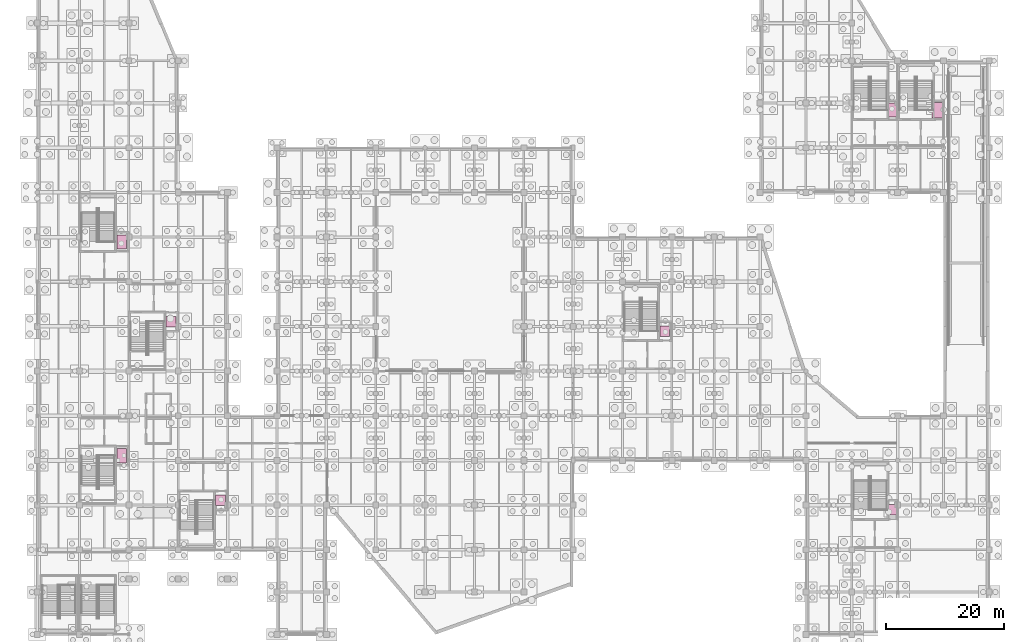
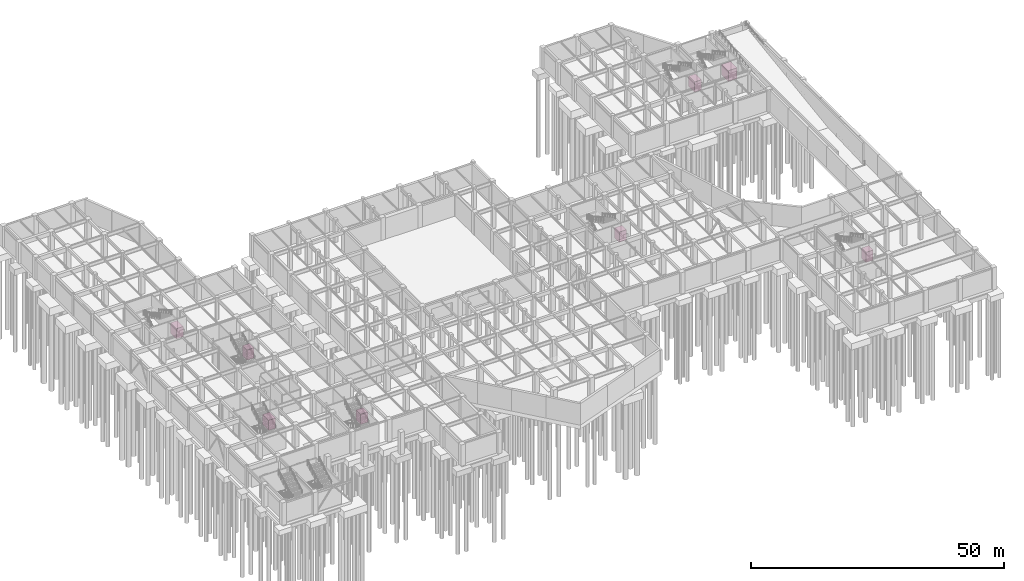
# One storey, part 52 of 52: 8 transport elements.
"""IFC4 building model written with IfcOpenShell, lengths in metres."""

from ifc_helpers import new_model, si_unit, direction, frame, origin, origin_2d, place, context, subcontext, project, spatial, rectangle, extrude, material, type_object, element, save


model = new_model("IFC4")

# Units and contexts
model_context = context("Model", 3, precision=1e-05, world=origin(), true_north=direction((0.0, 1.0)))
body_context = subcontext(model_context, "Body", "Model", "MODEL_VIEW")
ifc_project = project(units=[si_unit("LENGTHUNIT", "METRE"), si_unit("AREAUNIT", "SQUARE_METRE"), si_unit("VOLUMEUNIT", "CUBIC_METRE"), si_unit("PLANEANGLEUNIT", "RADIAN"), si_unit("MASSUNIT", "GRAM", prefix="KILO")], contexts=[model_context])

# Site, building, storey
site_placement = place(None, origin())
site = spatial("IfcSite", under=ifc_project, at=site_placement, CompositionType="ELEMENT")
building_placement = place(site_placement, origin())
building = spatial("IfcBuilding", under=site, at=building_placement, Name="Xicomal Pleat Aquarium", CompositionType="ELEMENT")
storey_placement = place(building_placement, frame((0.0, 0.0, -5.39990234375)))
storey = spatial("IfcBuildingStorey", under=building, at=storey_placement, Name="B1", CompositionType="ELEMENT", Elevation=-5.39990234375)

# Transport elements
ifc_material_1 = material(Name="Brushed stainless steel 304", Category="steel")
transport_element_type_1 = type_object("IfcTransportElementType", Name="LFT-GDS-2000x2600", PredefinedType="ELEVATOR", material=ifc_material_1)
transport_element_placement = place(storey_placement, frame((156.280029296875, 90.0, 0.0), z_axis=(0.0, 0.0, 1.0), x_axis=(1.0, 0.0, 0.0)))
element("IfcTransportElement", 1, at=transport_element_placement, inside=storey, type_object=transport_element_type_1, Name="Elevator car LF-06", PredefinedType="ELEVATOR", context=body_context, shape_type="SweptSolid", body=[
    extrude(rectangle(XDim=2.0, YDim=2.60009765625, at=origin_2d()), origin(), (0.0, 0.0, 1.0), 2.550048828125),
])
ifc_material_2 = material(Name="Brushed stainless steel 304", Category="steel")
transport_element_type_2 = type_object("IfcTransportElementType", Name="LFT-PAS-1650x1800", PredefinedType="ELEVATOR", material=ifc_material_2)
for number, where, z_axis, x_axis, name in (
    (2, (34.179931640625, 23.60009765625, 0.0), (0.0, 0.0, 1.0), (1.0, 0.0, 0.0), "Elevator car LF-02"),
    (3, (25.780029296875, 54.0, 0.0), (0.0, 0.0, 1.0), (1.0, 0.0, 0.0), "Elevator car LF-04"),
    (4, (109.780029296875, 52.39990234375, 0.0), (0.0, 0.0, 1.0), (1.0, 0.0, 0.0), "Elevator car LF-07"),
    (5, (148.47998046875, 22.0, 0.0), (0.0, 0.0, 1.0), (1.0, 0.0, 0.0), "Elevator car LF-08"),
):
    element("IfcTransportElement", number, at=place(storey_placement, frame(where, z_axis=z_axis, x_axis=x_axis)), inside=storey, type_object=transport_element_type_2, Name=name, PredefinedType="ELEVATOR", context=body_context, shape_type="SweptSolid", body=[
        extrude(rectangle(XDim=1.64990234375, YDim=1.800048828125, at=origin_2d()), origin(), (0.0, 0.0, 1.0), 2.449951171875),
    ])
ifc_material_3 = material(Name="Brushed stainless steel 304", Category="steel")
transport_element_type_3 = type_object("IfcTransportElementType", Name="LFT-STR-1600x2400", PredefinedType="ELEVATOR", material=ifc_material_3)
for number, where, z_axis, x_axis, name in (
    (6, (17.3798828125, 31.199951171875, 0.0), (0.0, 0.0, 1.0), (1.0, 0.0, 0.0), "Elevator car LF-01"),
    (7, (17.3798828125, 67.60009765625, 0.0), (0.0, 0.0, 1.0), (1.0, 0.0, 0.0), "Elevator car LF-03"),
    (8, (148.47998046875, 90.0, 0.0), (0.0, 0.0, 1.0), (1.0, 0.0, 0.0), "Elevator car LF-05"),
):
    element("IfcTransportElement", number, at=place(storey_placement, frame(where, z_axis=z_axis, x_axis=x_axis)), inside=storey, type_object=transport_element_type_3, Name=name, PredefinedType="ELEVATOR", context=body_context, shape_type="SweptSolid", body=[
        extrude(rectangle(XDim=1.60009765625, YDim=2.39990234375, at=origin_2d()), origin(), (0.0, 0.0, 1.0), 2.449951171875),
    ])

save(model, "model.ifc")
